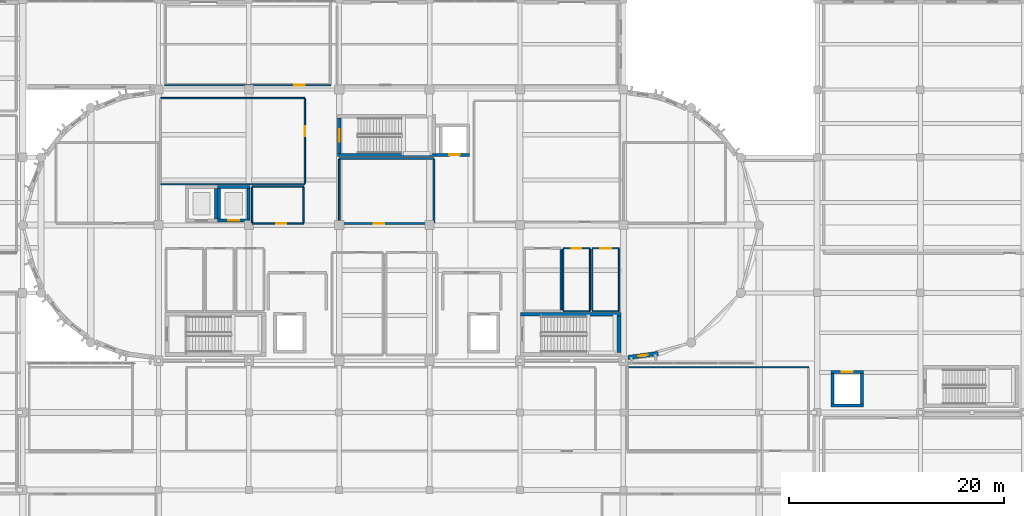
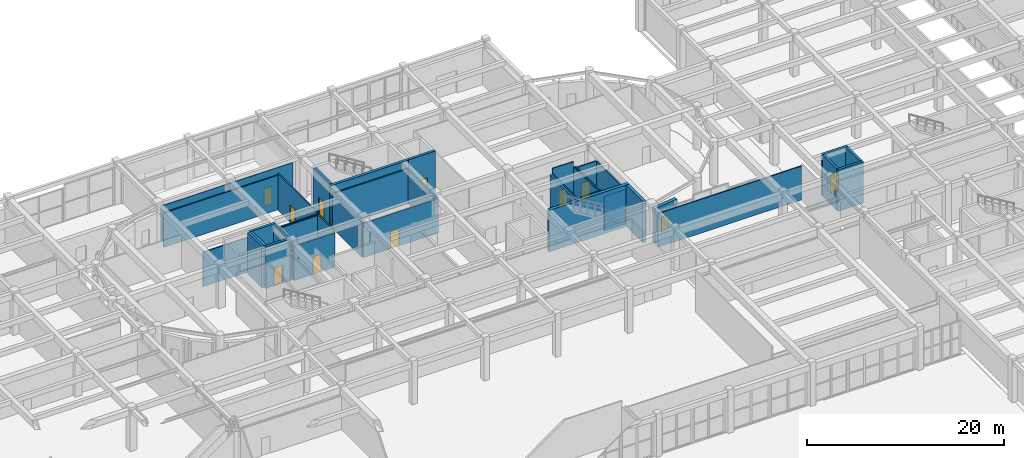
# One storey, part 74 of 98: 37 walls, 10 doors, 1 window, 11 openings.
"""IFC4 building model written with IfcOpenShell, lengths in metres."""

from ifc_helpers import new_model, si_unit, direction, frame, frame_2d, origin, place, context, subcontext, project, spatial, rectangle, extrude, material, layer, layer_set, type_object, element, fill, save


model = new_model("IFC4")

# Units and contexts
model_context = context("Model", 3, precision=1e-05, world=origin(), true_north=direction((0.0, 1.0)))
body_context = subcontext(model_context, "Body", "Model", "MODEL_VIEW")
ifc_project = project(units=[si_unit("LENGTHUNIT", "METRE"), si_unit("AREAUNIT", "SQUARE_METRE"), si_unit("VOLUMEUNIT", "CUBIC_METRE"), si_unit("PLANEANGLEUNIT", "RADIAN"), si_unit("MASSUNIT", "GRAM", prefix="KILO")], contexts=[model_context])

# Site, building, storey
site_placement = place(None, origin())
site = spatial("IfcSite", under=ifc_project, at=site_placement, CompositionType="ELEMENT")
building_placement = place(site_placement, origin())
building = spatial("IfcBuilding", under=site, at=building_placement, Name="Tarnavel Promenade Courthouse", CompositionType="ELEMENT")
storey_placement = place(building_placement, origin())
storey = spatial("IfcBuildingStorey", under=building, at=storey_placement, Name="L01", CompositionType="ELEMENT", Elevation=0.0)

# Wall
ifc_material_1 = material(Name="Acoustic Insulated Gypsum Stud Partition", Category="gypsum")
ifc_layer_1 = layer(ifc_material_1, 0.1650390625)
ifc_layer_set_1 = layer_set([ifc_layer_1], Name="Acoustic Insulated Gypsum Stud Partition")
wall_type_1 = type_object("IfcWallType", Name="Acoustic Insulated Gypsum Stud Partition WL-CHM-165 (165 mm)", PredefinedType="PARTITIONING", material=ifc_layer_set_1)
wall_1_placement = place(storey_placement, frame((75.60009765625, 98.0, 0.0), z_axis=(0.0, 0.0, 1.0), x_axis=(1.0, 0.0, 0.0)))
element("IfcWall", 1, at=wall_1_placement, inside=storey, type_object=wall_type_1, Name="L01 L01 Judicial Panel Deliberation Salon Partition 0224", PredefinedType="PARTITIONING", context=body_context, shape_type="SweptSolid", body=[
    extrude(rectangle(XDim=8.7998046875, YDim=0.1650390625, at=frame_2d((4.39990234375, 0.0))), origin(), (0.0, 0.0, 1.0), 4.27001953125),
])

# Wall, opening, door
wall_2_placement = place(storey_placement, frame((84.39990234375, 91.949951171875, 0.0), z_axis=(0.0, 0.0, 1.0), x_axis=(-1.0, 0.0, 0.0)))
wall_2 = element("IfcWall", 2, at=wall_2_placement, inside=storey, type_object=wall_type_1, Name="L01 L01 Judicial Panel Deliberation Salon Partition 0225", PredefinedType="PARTITIONING", context=body_context, shape_type="SweptSolid", body=[
    extrude(rectangle(XDim=8.7998046875, YDim=0.1650390625, at=frame_2d((4.39990234375, 0.0))), origin(), (0.0, 0.0, 1.0), 4.27001953125),
])
opening_1_placement = place(wall_2_placement, frame((4.610107421875, 0.0, 0.0)))
opening_1 = element("IfcOpeningElement", 3, at=opening_1_placement, cuts=wall_2, Name="Opening ID-03", PredefinedType="OPENING", context=body_context, shape_type="SweptSolid", body=[
    extrude(rectangle(XDim=1.0, YDim=2.14990234375, at=frame_2d((0.5, 1.074951171875))), frame((0.0, 0.092529296875, 0.0), z_axis=(0.0, -1.0, 0.0), x_axis=(1.0, 0.0, 0.0)), (0.0, 0.0, 1.0), 0.18505859375),
])
ifc_material_2 = material(Name="Acoustic Solid-Core Oak Jury Room Door")
door_type_1 = type_object("IfcDoorType", Name="Acoustic Solid-Core Oak Jury Room Door (DR-JRY-1000x2150)", OperationType="NOTDEFINED", PredefinedType="DOOR", material=ifc_material_2)
door_1_placement = place(opening_1_placement, origin())
door_1 = element("IfcDoor", 4, at=door_1_placement, inside=storey, type_object=door_type_1, Name="L01 L01 Judicial Panel Deliberation Salon Door 0065", OperationType="SINGLE_SWING_LEFT", OverallHeight=2.14990234375, OverallWidth=1.0, PredefinedType="DOOR", context=body_context, shape_type="SweptSolid", body=[
    extrude(rectangle(XDim=1.0, YDim=2.14990234375, at=frame_2d((0.5, 1.074951171875))), frame((0.0, 0.02490234375, 0.0), z_axis=(0.0, -1.0, 0.0), x_axis=(1.0, 0.0, 0.0)), (0.0, 0.0, 1.0), 0.050048828125),
])
fill(opening_1, door_1)

# Walls
for number, where, z_axis, x_axis, name in (
    (5, (75.60009765625, 92.04248046875, 0.0), (0.0, 0.0, 1.0), (0.0, 1.0, 0.0), "L01 L01 Judicial Panel Deliberation Salon Partition 0226"),
    (6, (84.39990234375, 97.907470703125, 0.0), (0.0, 0.0, 1.0), (0.0, -1.0, 0.0), "L01 L01 Judicial Panel Deliberation Salon Partition 0227"),
):
    element("IfcWall", number, at=place(storey_placement, frame(where, z_axis=z_axis, x_axis=x_axis)), inside=storey, type_object=wall_type_1, Name=name, PredefinedType="PARTITIONING", context=body_context, shape_type="SweptSolid", body=[
        extrude(rectangle(XDim=5.864990234375, YDim=0.1650390625, at=frame_2d((2.9326171875, 0.0))), origin(), (0.0, 0.0, 1.0), 4.27001953125),
    ])
ifc_material_3 = material(Name="Concrete C40/50", Category="concrete")
ifc_layer_2 = layer(ifc_material_3, 0.280029296875)
ifc_layer_set_2 = layer_set([ifc_layer_2], Name="Concrete C40/50")
wall_type_2 = type_object("IfcWallType", Name="Concrete C40/50 WL-SHR-280 (280 mm)", PredefinedType="SHEAR", material=ifc_layer_set_2)
wall_3_placement = place(storey_placement, frame((64.159912109375, 95.219970703125, 0.0), z_axis=(0.0, 0.0, 1.0), x_axis=(0.0, -1.0, 0.0)))
element("IfcWall", 7, at=wall_3_placement, inside=storey, type_object=wall_type_2, Name="L01 L-PUB1 Lift Shaft East Wall", PredefinedType="SHEAR", context=body_context, shape_type="SweptSolid", body=[
    extrude(rectangle(XDim=2.840087890625, YDim=0.280029296875, at=frame_2d((1.419921875, 0.0))), origin(), (0.0, 0.0, 1.0), 5.139892578125),
])
wall_4_placement = place(storey_placement, frame((64.300048828125, 95.360107421875, 0.0), z_axis=(0.0, 0.0, 1.0), x_axis=(1.0, 0.0, 0.0)))
element("IfcWall", 8, at=wall_4_placement, inside=storey, type_object=wall_type_2, Name="L01 L-PUB2 Lift Shaft North Wall", PredefinedType="SHEAR", context=body_context, shape_type="SweptSolid", body=[
    extrude(rectangle(XDim=3.0, YDim=0.280029296875, at=frame_2d((1.5, 0.0))), origin(), (0.0, 0.0, 1.0), 5.139892578125),
])

# Wall, opening, door
wall_5_placement = place(storey_placement, frame((67.300048828125, 92.239990234375, 0.0), z_axis=(0.0, 0.0, 1.0), x_axis=(-1.0, 0.0, 0.0)))
wall_5 = element("IfcWall", 9, at=wall_5_placement, inside=storey, type_object=wall_type_2, Name="L01 L-PUB2 Lift Shaft South Wall", PredefinedType="SHEAR", context=body_context, shape_type="SweptSolid", body=[
    extrude(rectangle(XDim=3.0, YDim=0.280029296875, at=frame_2d((1.5, 0.0))), origin(), (0.0, 0.0, 1.0), 5.139892578125),
])
opening_2_placement = place(wall_5_placement, frame((0.97509765625, 0.0, 0.0)))
opening_2 = element("IfcOpeningElement", 10, at=opening_2_placement, cuts=wall_5, Name="Opening LD-02", PredefinedType="OPENING", context=body_context, shape_type="SweptSolid", body=[
    extrude(rectangle(XDim=1.050048828125, YDim=2.199951171875, at=frame_2d((0.52490234375, 1.10009765625))), frame((0.0, 0.14990234375, 0.0), z_axis=(0.0, -1.0, 0.0), x_axis=(1.0, 0.0, 0.0)), (0.0, 0.0, 1.0), 0.300048828125),
])
ifc_material_4 = material(Name="Brushed Bronze Passenger Lift Landing Sliding Door")
door_type_2 = type_object("IfcDoorType", Name="Brushed Bronze Passenger Lift Landing Sliding Door (LD-PUB-1050x2200)", OperationType="NOTDEFINED", PredefinedType="DOOR", material=ifc_material_4)
door_2_placement = place(opening_2_placement, origin())
door_2 = element("IfcDoor", 11, at=door_2_placement, inside=storey, type_object=door_type_2, Name="L01 L-PUB2 Lift Sliding Landing Door", OperationType="DOUBLE_DOOR_SLIDING", OverallHeight=2.199951171875, OverallWidth=1.050048828125, PredefinedType="DOOR", context=body_context, shape_type="SweptSolid", body=[
    extrude(rectangle(XDim=1.050048828125, YDim=2.199951171875, at=frame_2d((0.52490234375, 1.10009765625))), frame((0.0, 0.02490234375, 0.0), z_axis=(0.0, -1.0, 0.0), x_axis=(1.0, 0.0, 0.0)), (0.0, 0.0, 1.0), 0.050048828125),
])
fill(opening_2, door_2)

# Walls
for number, where, z_axis, x_axis, name in (
    (12, (64.43994140625, 92.3798828125, 0.0), (0.0, 0.0, 1.0), (0.0, 1.0, 0.0), "L01 L-PUB2 Lift Shaft West Wall"),
    (13, (67.159912109375, 95.219970703125, 0.0), (0.0, 0.0, 1.0), (0.0, -1.0, 0.0), "L01 L-PUB2 Lift Shaft East Wall"),
):
    element("IfcWall", number, at=place(storey_placement, frame(where, z_axis=z_axis, x_axis=x_axis)), inside=storey, type_object=wall_type_2, Name=name, PredefinedType="SHEAR", context=body_context, shape_type="SweptSolid", body=[
        extrude(rectangle(XDim=2.840087890625, YDim=0.280029296875, at=frame_2d((1.419921875, 0.0))), origin(), (0.0, 0.0, 1.0), 5.139892578125),
    ])

# Wall, opening, door
wall_6_placement = place(storey_placement, frame((87.699951171875, 98.340087890625, 0.0), z_axis=(0.0, 0.0, 1.0), x_axis=(-1.0, 0.0, 0.0)))
wall_6 = element("IfcWall", 14, at=wall_6_placement, inside=storey, type_object=wall_type_2, Name="L01 L-JUD1 Lift Shaft South Wall", PredefinedType="SHEAR", context=body_context, shape_type="SweptSolid", body=[
    extrude(rectangle(XDim=3.159912109375, YDim=0.280029296875, at=frame_2d((1.580078125, 0.0))), origin(), (0.0, 0.0, 1.0), 5.139892578125),
])
opening_3_placement = place(wall_6_placement, frame((0.925048828125, 0.0, 0.0)))
opening_3 = element("IfcOpeningElement", 15, at=opening_3_placement, cuts=wall_6, Name="Opening LD-03", PredefinedType="OPENING", context=body_context, shape_type="SweptSolid", body=[
    extrude(rectangle(XDim=0.949951171875, YDim=2.14990234375, at=frame_2d((0.47509765625, 1.074951171875))), frame((0.0, 0.14990234375, 0.0), z_axis=(0.0, -1.0, 0.0), x_axis=(1.0, 0.0, 0.0)), (0.0, 0.0, 1.0), 0.300048828125),
])
ifc_material_5 = material(Name="Stainless Steel Judicial Lift Landing Sliding Door", Category="steel")
door_type_3 = type_object("IfcDoorType", Name="Stainless Steel Judicial Lift Landing Sliding Door (LD-JUD-0950x2150)", OperationType="NOTDEFINED", PredefinedType="DOOR", material=ifc_material_5)
door_3_placement = place(opening_3_placement, origin())
door_3 = element("IfcDoor", 16, at=door_3_placement, inside=storey, type_object=door_type_3, Name="L01 L-JUD1 Lift Sliding Landing Door", OperationType="DOUBLE_DOOR_SLIDING", OverallHeight=2.14990234375, OverallWidth=0.949951171875, PredefinedType="DOOR", context=body_context, shape_type="SweptSolid", body=[
    extrude(rectangle(XDim=0.949951171875, YDim=2.14990234375, at=frame_2d((0.47509765625, 1.074951171875))), frame((0.0, 0.02490234375, 0.0), z_axis=(0.0, -1.0, 0.0), x_axis=(1.0, 0.0, 0.0)), (0.0, 0.0, 1.0), 0.050048828125),
])
fill(opening_3, door_3)

wall_7_placement = place(storey_placement, frame((121.300048828125, 78.159912109375, 0.0), z_axis=(0.0, 0.0, 1.0), x_axis=(1.0, 0.0, 0.0)))
wall_7 = element("IfcWall", 17, at=wall_7_placement, inside=storey, type_object=wall_type_2, Name="L01 L-CUS1 Lift Shaft North Wall", PredefinedType="SHEAR", context=body_context, shape_type="SweptSolid", body=[
    extrude(rectangle(XDim=3.0, YDim=0.280029296875, at=frame_2d((1.5, 0.0))), origin(), (0.0, 0.0, 1.0), 5.139892578125),
])
opening_4_placement = place(wall_7_placement, frame((0.97509765625, 0.0, 0.0)))
opening_4 = element("IfcOpeningElement", 18, at=opening_4_placement, cuts=wall_7, Name="Opening LD-02", PredefinedType="OPENING", context=body_context, shape_type="SweptSolid", body=[
    extrude(rectangle(XDim=1.050048828125, YDim=2.199951171875, at=frame_2d((0.52490234375, 1.10009765625))), frame((0.0, 0.14990234375, 0.0), z_axis=(0.0, -1.0, 0.0), x_axis=(1.0, 0.0, 0.0)), (0.0, 0.0, 1.0), 0.300048828125),
])
door_4_placement = place(opening_4_placement, origin())
door_4 = element("IfcDoor", 19, at=door_4_placement, inside=storey, type_object=door_type_2, Name="L01 L-CUS1 Lift Sliding Landing Door", OperationType="DOUBLE_DOOR_SLIDING", OverallHeight=2.199951171875, OverallWidth=1.050048828125, PredefinedType="DOOR", context=body_context, shape_type="SweptSolid", body=[
    extrude(rectangle(XDim=1.050048828125, YDim=2.199951171875, at=frame_2d((0.52490234375, 1.10009765625))), frame((0.0, 0.02490234375, 0.0), z_axis=(0.0, -1.0, 0.0), x_axis=(1.0, 0.0, 0.0)), (0.0, 0.0, 1.0), 0.050048828125),
])
fill(opening_4, door_4)

# Walls
wall_8_placement = place(storey_placement, frame((124.300048828125, 75.0400390625, 0.0), z_axis=(0.0, 0.0, 1.0), x_axis=(-1.0, 0.0, 0.0)))
element("IfcWall", 20, at=wall_8_placement, inside=storey, type_object=wall_type_2, Name="L01 L-CUS1 Lift Shaft South Wall", PredefinedType="SHEAR", context=body_context, shape_type="SweptSolid", body=[
    extrude(rectangle(XDim=3.0, YDim=0.280029296875, at=frame_2d((1.5, 0.0))), origin(), (0.0, 0.0, 1.0), 5.139892578125),
])
for number, where, z_axis, x_axis, name in (
    (21, (121.43994140625, 75.179931640625, 0.0), (0.0, 0.0, 1.0), (0.0, 1.0, 0.0), "L01 L-CUS1 Lift Shaft West Wall"),
    (22, (124.159912109375, 78.02001953125, 0.0), (0.0, 0.0, 1.0), (0.0, -1.0, 0.0), "L01 L-CUS1 Lift Shaft East Wall"),
):
    element("IfcWall", number, at=place(storey_placement, frame(where, z_axis=z_axis, x_axis=x_axis)), inside=storey, type_object=wall_type_2, Name=name, PredefinedType="SHEAR", context=body_context, shape_type="SweptSolid", body=[
        extrude(rectangle(XDim=2.840087890625, YDim=0.280029296875, at=frame_2d((1.419921875, 0.0))), origin(), (0.0, 0.0, 1.0), 5.139892578125),
    ])
ifc_layer_3 = layer(ifc_material_3, 0.320068359375)
ifc_layer_set_3 = layer_set([ifc_layer_3], Name="Concrete C40/50")
wall_type_3 = type_object("IfcWallType", Name="Concrete C40/50 WL-SHR-320 (320 mm)", PredefinedType="SHEAR", material=ifc_layer_set_3)
wall_9_placement = place(storey_placement, frame((84.5400390625, 98.320068359375, 0.0), z_axis=(0.0, 0.0, 1.0), x_axis=(-1.0, 0.0, 0.0)))
element("IfcWall", 23, at=wall_9_placement, inside=storey, type_object=wall_type_3, Name="L01 ST-03 Shear Core South Wall", PredefinedType="SHEAR", context=body_context, shape_type="SweptSolid", body=[
    extrude(rectangle(XDim=9.080078125, YDim=0.320068359375, at=frame_2d((4.5400390625, 0.0))), origin(), (0.0, 0.0, 1.0), 5.139892578125),
])

# Wall, opening, door
wall_10_placement = place(storey_placement, frame((75.6201171875, 98.47998046875, 0.0), z_axis=(0.0, 0.0, 1.0), x_axis=(0.0, 1.0, 0.0)))
wall_10 = element("IfcWall", 24, at=wall_10_placement, inside=storey, type_object=wall_type_3, Name="L01 ST-03 Shear Core West Landing Wall", PredefinedType="SHEAR", context=body_context, shape_type="SweptSolid", body=[
    extrude(rectangle(XDim=3.280029296875, YDim=0.320068359375, at=frame_2d((1.64013671875, 0.0))), origin(), (0.0, 0.0, 1.0), 5.139892578125),
])
opening_5_placement = place(wall_10_placement, frame((1.06494140625, 0.0, 0.0)))
opening_5 = element("IfcOpeningElement", 25, at=opening_5_placement, cuts=wall_10, Name="Opening FD-01", PredefinedType="OPENING", context=body_context, shape_type="SweptSolid", body=[
    extrude(rectangle(XDim=1.14990234375, YDim=2.199951171875, at=frame_2d((0.574951171875, 1.10009765625))), frame((0.0, 0.169921875, 0.0), z_axis=(0.0, -1.0, 0.0), x_axis=(1.0, 0.0, 0.0)), (0.0, 0.0, 1.0), 0.340087890625),
])
ifc_material_6 = material(Name="Steel Fire-Rated Stair Core Door", Category="steel")
door_type_4 = type_object("IfcDoorType", Name="Steel Fire-Rated Stair Core Door (DR-ST-1150x2200)", OperationType="NOTDEFINED", PredefinedType="DOOR", material=ifc_material_6)
door_5_placement = place(opening_5_placement, origin())
door_5 = element("IfcDoor", 26, at=door_5_placement, inside=storey, type_object=door_type_4, Name="L01 ST-03 Protected Exit Stair Door", OperationType="SINGLE_SWING_LEFT", OverallHeight=2.199951171875, OverallWidth=1.14990234375, PredefinedType="DOOR", context=body_context, shape_type="SweptSolid", body=[
    extrude(rectangle(XDim=1.14990234375, YDim=2.199951171875, at=frame_2d((0.574951171875, 1.10009765625))), frame((0.0, 0.02490234375, 0.0), z_axis=(0.0, -1.0, 0.0), x_axis=(1.0, 0.0, 0.0)), (0.0, 0.0, 1.0), 0.050048828125),
])
fill(opening_5, door_5)

# Walls
ifc_layer_4 = layer(ifc_material_3, 0.360107421875)
ifc_layer_set_4 = layer_set([ifc_layer_4], Name="Concrete C40/50")
wall_type_4 = type_object("IfcWallType", Name="Concrete C40/50 WL-SHR-360 (360 mm)", PredefinedType="SHEAR", material=ifc_layer_set_4)
wall_11_placement = place(storey_placement, frame((92.419921875, 83.52001953125, 0.0), z_axis=(0.0, 0.0, 1.0), x_axis=(1.0, 0.0, 0.0)))
element("IfcWall", 27, at=wall_11_placement, inside=storey, type_object=wall_type_4, Name="L01 ST-02 Shear Core North Wall", PredefinedType="SHEAR", context=body_context, shape_type="SweptSolid", body=[
    extrude(rectangle(XDim=9.360107421875, YDim=0.360107421875, at=frame_2d((4.68017578125, 0.0))), origin(), (0.0, 0.0, 1.0), 5.139892578125),
])
wall_12_placement = place(storey_placement, frame((101.60009765625, 83.340087890625, 0.0), z_axis=(0.0, 0.0, 1.0), x_axis=(0.0, -1.0, 0.0)))
element("IfcWall", 28, at=wall_12_placement, inside=storey, type_object=wall_type_4, Name="L01 ST-02 Shear Core East Wall", PredefinedType="SHEAR", context=body_context, shape_type="SweptSolid", body=[
    extrude(rectangle(XDim=3.360107421875, YDim=0.360107421875, at=frame_2d((1.68017578125, 0.0))), origin(), (0.0, 0.0, 1.0), 5.139892578125),
])
ifc_material_7 = material(Name="Concrete Masonry Fire Compartment Wall", Category="masonry")
ifc_layer_5 = layer(ifc_material_7, 0.205078125)
ifc_layer_set_5 = layer_set([ifc_layer_5], Name="Concrete Masonry Fire Compartment Wall")
wall_type_5 = type_object("IfcWallType", Name="Concrete Masonry Fire Compartment Wall WL-CMP-205 (205 mm)", PredefinedType="STANDARD", material=ifc_layer_set_5)
wall_13_placement = place(storey_placement, frame((96.199951171875, 89.53759765625, 0.0), z_axis=(0.0, 0.0, 1.0), x_axis=(0.0, -1.0, 0.0)))
element("IfcWall", 29, at=wall_13_placement, inside=storey, type_object=wall_type_5, Name="L01 L01 Court Transcript Records Room Partition 0112", PredefinedType="STANDARD", context=body_context, shape_type="SweptSolid", body=[
    extrude(rectangle(XDim=5.625, YDim=0.205078125, at=frame_2d((2.8125, 0.0))), origin(), (0.0, 0.0, 1.0), 4.52001953125),
])
ifc_material_8 = material(Name="Metal-Stud Acoustic Gypsum Partition", Category="gypsum")
ifc_layer_6 = layer(ifc_material_8, 0.135009765625)
ifc_layer_set_6 = layer_set([ifc_layer_6], Name="Metal-Stud Acoustic Gypsum Partition")
wall_type_6 = type_object("IfcWallType", Name="Metal-Stud Acoustic Gypsum Partition WL-OFF-135 (135 mm)", PredefinedType="PARTITIONING", material=ifc_layer_set_6)
wall_14_placement = place(storey_placement, frame((102.39990234375, 78.60009765625, 0.0), z_axis=(0.0, 0.0, 1.0), x_axis=(1.0, 0.0, 0.0)))
element("IfcWall", 30, at=wall_14_placement, inside=storey, type_object=wall_type_6, Name="L01 Advocates' Collegium Seminar Room Partition 0184", PredefinedType="PARTITIONING", context=body_context, shape_type="SweptSolid", body=[
    extrude(rectangle(XDim=16.800048828125, YDim=0.135009765625, at=frame_2d((8.39990234375, 0.0))), origin(), (0.0, 0.0, 1.0), 4.169921875),
])

# Wall, opening, door
wall_15_placement = place(storey_placement, frame((74.800048828125, 104.800048828125, 0.0), z_axis=(0.0, 0.0, 1.0), x_axis=(-1.0, 0.0, 0.0)))
wall_15 = element("IfcWall", 31, at=wall_15_placement, inside=storey, type_object=wall_type_6, Name="L01 North Civic Avenue Entrance Vestibule Partition 0192", PredefinedType="PARTITIONING", context=body_context, shape_type="SweptSolid", body=[
    extrude(rectangle(XDim=15.400146484375, YDim=0.135009765625, at=frame_2d((7.7001953125, 0.0))), origin(), (0.0, 0.0, 1.0), 4.27001953125),
])
opening_6_placement = place(wall_15_placement, frame((2.41259765625, 0.0, 0.0)))
opening_6 = element("IfcOpeningElement", 32, at=opening_6_placement, cuts=wall_15, Name="Opening ID-06", PredefinedType="OPENING", context=body_context, shape_type="SweptSolid", body=[
    extrude(rectangle(XDim=0.949951171875, YDim=2.14990234375, at=frame_2d((0.47509765625, 1.074951171875))), frame((0.0, 0.077392578125, 0.0), z_axis=(0.0, -1.0, 0.0), x_axis=(1.0, 0.0, 0.0)), (0.0, 0.0, 1.0), 0.155029296875),
])
ifc_material_9 = material(Name="Acoustic Timber Veneer Office Door", Category="wood")
door_type_5 = type_object("IfcDoorType", Name="Acoustic Timber Veneer Office Door (DR-OFF-0950x2150)", OperationType="NOTDEFINED", PredefinedType="DOOR", material=ifc_material_9)
door_6_placement = place(opening_6_placement, origin())
door_6 = element("IfcDoor", 33, at=door_6_placement, inside=storey, type_object=door_type_5, Name="L01 North Civic Avenue Entrance Vestibule Door 0055", OperationType="SINGLE_SWING_RIGHT", OverallHeight=2.14990234375, OverallWidth=0.949951171875, PredefinedType="DOOR", context=body_context, shape_type="SweptSolid", body=[
    extrude(rectangle(XDim=0.949951171875, YDim=2.14990234375, at=frame_2d((0.47509765625, 1.074951171875))), frame((0.0, 0.02490234375, 0.0), z_axis=(0.0, -1.0, 0.0), x_axis=(1.0, 0.0, 0.0)), (0.0, 0.0, 1.0), 0.050048828125),
])
fill(opening_6, door_6)

# Walls
for number, where, z_axis, x_axis, name in (
    (34, (59.0, 103.60009765625, 0.0), (0.0, 0.0, 1.0), (1.0, 0.0, 0.0), "L01 Court Security Control Room Partition 0216"),
    (35, (72.39990234375, 95.60009765625, 0.0), (0.0, 0.0, 1.0), (-1.0, 0.0, 0.0), "L01 Court Security Control Room Partition 0217"),
):
    element("IfcWall", number, at=place(storey_placement, frame(where, z_axis=z_axis, x_axis=x_axis)), inside=storey, type_object=wall_type_6, Name=name, PredefinedType="PARTITIONING", context=body_context, shape_type="SweptSolid", body=[
        extrude(rectangle(XDim=13.39990234375, YDim=0.135009765625, at=frame_2d((6.699951171875, 0.0))), origin(), (0.0, 0.0, 1.0), 4.27001953125),
    ])

# Wall, opening, door
wall_16_placement = place(storey_placement, frame((72.39990234375, 103.5224609375, 0.0), z_axis=(0.0, 0.0, 1.0), x_axis=(0.0, -1.0, 0.0)))
wall_16 = element("IfcWall", 36, at=wall_16_placement, inside=storey, type_object=wall_type_6, Name="L01 Court Security Control Room Partition 0219", PredefinedType="PARTITIONING", context=body_context, shape_type="SweptSolid", body=[
    extrude(rectangle(XDim=7.844970703125, YDim=0.135009765625, at=frame_2d((3.92236328125, 0.0))), origin(), (0.0, 0.0, 1.0), 4.52001953125),
])
opening_7_placement = place(wall_16_placement, frame((2.518310546875, 0.0, 0.0)))
opening_7 = element("IfcOpeningElement", 37, at=opening_7_placement, cuts=wall_16, Name="Opening ID-06", PredefinedType="OPENING", context=body_context, shape_type="SweptSolid", body=[
    extrude(rectangle(XDim=0.949951171875, YDim=2.14990234375, at=frame_2d((0.47509765625, 1.074951171875))), frame((0.0, 0.077392578125, 0.0), z_axis=(0.0, -1.0, 0.0), x_axis=(1.0, 0.0, 0.0)), (0.0, 0.0, 1.0), 0.155029296875),
])
door_7_placement = place(opening_7_placement, origin())
door_7 = element("IfcDoor", 38, at=door_7_placement, inside=storey, type_object=door_type_5, Name="L01 Court Security Control Room Door 0063", OperationType="SINGLE_SWING_LEFT", OverallHeight=2.14990234375, OverallWidth=0.949951171875, PredefinedType="DOOR", context=body_context, shape_type="SweptSolid", body=[
    extrude(rectangle(XDim=0.949951171875, YDim=2.14990234375, at=frame_2d((0.47509765625, 1.074951171875))), frame((0.0, 0.02490234375, 0.0), z_axis=(0.0, -1.0, 0.0), x_axis=(1.0, 0.0, 0.0)), (0.0, 0.0, 1.0), 0.050048828125),
])
fill(opening_7, door_7)

# Wall
wall_17_placement = place(storey_placement, frame((67.5, 95.39990234375, 0.0), z_axis=(0.0, 0.0, 1.0), x_axis=(1.0, 0.0, 0.0)))
element("IfcWall", 39, at=wall_17_placement, inside=storey, type_object=wall_type_6, Name="L01 L01 Judicial Case Clerks' Room Partition 0220", PredefinedType="PARTITIONING", context=body_context, shape_type="SweptSolid", body=[
    extrude(rectangle(XDim=4.800048828125, YDim=0.135009765625, at=frame_2d((2.39990234375, 0.0))), origin(), (0.0, 0.0, 1.0), 4.27001953125),
])

# Wall, opening, door
wall_18_placement = place(storey_placement, frame((72.300048828125, 91.949951171875, 0.0), z_axis=(0.0, 0.0, 1.0), x_axis=(-1.0, 0.0, 0.0)))
wall_18 = element("IfcWall", 40, at=wall_18_placement, inside=storey, type_object=wall_type_6, Name="L01 L01 Judicial Case Clerks' Room Partition 0221", PredefinedType="PARTITIONING", context=body_context, shape_type="SweptSolid", body=[
    extrude(rectangle(XDim=4.800048828125, YDim=0.135009765625, at=frame_2d((2.39990234375, 0.0))), origin(), (0.0, 0.0, 1.0), 4.27001953125),
])
opening_8_placement = place(wall_18_placement, frame((1.610107421875, 0.0, 0.0)))
opening_8 = element("IfcOpeningElement", 41, at=opening_8_placement, cuts=wall_18, Name="Opening ID-06", PredefinedType="OPENING", context=body_context, shape_type="SweptSolid", body=[
    extrude(rectangle(XDim=0.949951171875, YDim=2.14990234375, at=frame_2d((0.47509765625, 1.074951171875))), frame((0.0, 0.077392578125, 0.0), z_axis=(0.0, -1.0, 0.0), x_axis=(1.0, 0.0, 0.0)), (0.0, 0.0, 1.0), 0.155029296875),
])
door_8_placement = place(opening_8_placement, origin())
door_8 = element("IfcDoor", 42, at=door_8_placement, inside=storey, type_object=door_type_5, Name="L01 L01 Judicial Case Clerks' Room Door 0064", OperationType="SINGLE_SWING_RIGHT", OverallHeight=2.14990234375, OverallWidth=0.949951171875, PredefinedType="DOOR", context=body_context, shape_type="SweptSolid", body=[
    extrude(rectangle(XDim=0.949951171875, YDim=2.14990234375, at=frame_2d((0.47509765625, 1.074951171875))), frame((0.0, 0.02490234375, 0.0), z_axis=(0.0, -1.0, 0.0), x_axis=(1.0, 0.0, 0.0)), (0.0, 0.0, 1.0), 0.050048828125),
])
fill(opening_8, door_8)

# Walls
wall_19_placement = place(storey_placement, frame((67.5, 92.027587890625, 0.0), z_axis=(0.0, 0.0, 1.0), x_axis=(0.0, 1.0, 0.0)))
element("IfcWall", 43, at=wall_19_placement, inside=storey, type_object=wall_type_6, Name="L01 L01 Judicial Case Clerks' Room Partition 0222", PredefinedType="PARTITIONING", context=body_context, shape_type="SweptSolid", body=[
    extrude(rectangle(XDim=3.294921875, YDim=0.135009765625, at=frame_2d((1.6474609375, 0.0))), origin(), (0.0, 0.0, 1.0), 4.27001953125),
])
wall_20_placement = place(storey_placement, frame((72.300048828125, 95.322509765625, 0.0), z_axis=(0.0, 0.0, 1.0), x_axis=(0.0, -1.0, 0.0)))
element("IfcWall", 44, at=wall_20_placement, inside=storey, type_object=wall_type_6, Name="L01 L01 Judicial Case Clerks' Room Partition 0223", PredefinedType="PARTITIONING", context=body_context, shape_type="SweptSolid", body=[
    extrude(rectangle(XDim=3.294921875, YDim=0.135009765625, at=frame_2d((1.6474609375, 0.0))), origin(), (0.0, 0.0, 1.0), 4.469970703125),
])

# Wall, opening, door
ifc_material_10 = material(Name="Moisture-Resistant Tile-Backed Stud Partition", Category="gypsum")
ifc_layer_7 = layer(ifc_material_10, 0.125)
ifc_layer_set_7 = layer_set([ifc_layer_7], Name="Moisture-Resistant Tile-Backed Stud Partition")
wall_type_7 = type_object("IfcWallType", Name="Moisture-Resistant Tile-Backed Stud Partition WL-WET-125 (125 mm)", PredefinedType="PARTITIONING", material=ifc_layer_set_7)
wall_21_placement = place(storey_placement, frame((96.39990234375, 89.64990234375, 0.0), z_axis=(0.0, 0.0, 1.0), x_axis=(1.0, 0.0, 0.0)))
wall_21 = element("IfcWall", 45, at=wall_21_placement, inside=storey, type_object=wall_type_7, Name="L01 Staff WC Partition 0097", PredefinedType="PARTITIONING", context=body_context, shape_type="SweptSolid", body=[
    extrude(rectangle(XDim=2.5, YDim=0.125, at=frame_2d((1.25, 0.0))), origin(), (0.0, 0.0, 1.0), 5.125),
])
opening_9_placement = place(wall_21_placement, frame((0.800048828125, 0.0, 0.0)))
opening_9 = element("IfcOpeningElement", 46, at=opening_9_placement, cuts=wall_21, Name="Opening ID-08", PredefinedType="OPENING", context=body_context, shape_type="SweptSolid", body=[
    extrude(rectangle(XDim=0.89990234375, YDim=2.10009765625, at=frame_2d((0.449951171875, 1.050048828125))), frame((0.0, 0.072509765625, 0.0), z_axis=(0.0, -1.0, 0.0), x_axis=(1.0, 0.0, 0.0)), (0.0, 0.0, 1.0), 0.14501953125),
])
ifc_material_11 = material(Name="Moisture-Resistant Laminate Restroom Door")
door_type_6 = type_object("IfcDoorType", Name="Moisture-Resistant Laminate Restroom Door (DR-WC-0900x2100)", OperationType="NOTDEFINED", PredefinedType="DOOR", material=ifc_material_11)
door_9_placement = place(opening_9_placement, origin())
door_9 = element("IfcDoor", 47, at=door_9_placement, inside=storey, type_object=door_type_6, Name="L01 Staff WC Door 0028", OperationType="SINGLE_SWING_RIGHT", OverallHeight=2.10009765625, OverallWidth=0.89990234375, PredefinedType="DOOR", context=body_context, shape_type="SweptSolid", body=[
    extrude(rectangle(XDim=0.89990234375, YDim=2.10009765625, at=frame_2d((0.449951171875, 1.050048828125))), frame((0.0, 0.02490234375, 0.0), z_axis=(0.0, -1.0, 0.0), x_axis=(1.0, 0.0, 0.0)), (0.0, 0.0, 1.0), 0.050048828125),
])
fill(opening_9, door_9)

# Walls
wall_22_placement = place(storey_placement, frame((98.89990234375, 83.800048828125, 0.0), z_axis=(0.0, 0.0, 1.0), x_axis=(-1.0, 0.0, 0.0)))
element("IfcWall", 48, at=wall_22_placement, inside=storey, type_object=wall_type_7, Name="L01 Staff WC Partition 0098", PredefinedType="PARTITIONING", context=body_context, shape_type="SweptSolid", body=[
    extrude(rectangle(XDim=2.5, YDim=0.125, at=frame_2d((1.25, 0.0))), origin(), (0.0, 0.0, 1.0), 5.125),
])
for number, where, z_axis, x_axis, name in (
    (49, (96.39990234375, 83.87255859375, 0.0), (0.0, 0.0, 1.0), (0.0, 1.0, 0.0), "L01 Staff WC Partition 0099"),
    (50, (98.89990234375, 89.577392578125, 0.0), (0.0, 0.0, 1.0), (0.0, -1.0, 0.0), "L01 Staff WC Partition 0100"),
):
    element("IfcWall", number, at=place(storey_placement, frame(where, z_axis=z_axis, x_axis=x_axis)), inside=storey, type_object=wall_type_7, Name=name, PredefinedType="PARTITIONING", context=body_context, shape_type="SweptSolid", body=[
        extrude(rectangle(XDim=5.704833984375, YDim=0.125, at=frame_2d((2.8525390625, 0.0))), origin(), (0.0, 0.0, 1.0), 4.52001953125),
    ])

# Wall, opening, door
wall_23_placement = place(storey_placement, frame((99.10009765625, 89.64990234375, 0.0), z_axis=(0.0, 0.0, 1.0), x_axis=(1.0, 0.0, 0.0)))
wall_23 = element("IfcWall", 51, at=wall_23_placement, inside=storey, type_object=wall_type_7, Name="L01 Accessible Staff WC Partition 0101", PredefinedType="PARTITIONING", context=body_context, shape_type="SweptSolid", body=[
    extrude(rectangle(XDim=2.5, YDim=0.125, at=frame_2d((1.25, 0.0))), origin(), (0.0, 0.0, 1.0), 4.27001953125),
])
opening_10_placement = place(wall_23_placement, frame((0.75, 0.0, 0.0)))
opening_10 = element("IfcOpeningElement", 52, at=opening_10_placement, cuts=wall_23, Name="Opening ID-09", PredefinedType="OPENING", context=body_context, shape_type="SweptSolid", body=[
    extrude(rectangle(XDim=1.0, YDim=2.10009765625, at=frame_2d((0.5, 1.050048828125))), frame((0.0, 0.072509765625, 0.0), z_axis=(0.0, -1.0, 0.0), x_axis=(1.0, 0.0, 0.0)), (0.0, 0.0, 1.0), 0.14501953125),
])
ifc_material_12 = material(Name="Wide Accessible Restroom Outward Door")
door_type_7 = type_object("IfcDoorType", Name="Wide Accessible Restroom Outward Door (DR-AWC-1000x2100)", OperationType="NOTDEFINED", PredefinedType="DOOR", material=ifc_material_12)
door_10_placement = place(opening_10_placement, origin())
door_10 = element("IfcDoor", 53, at=door_10_placement, inside=storey, type_object=door_type_7, Name="L01 Accessible Staff WC Door 0029", OperationType="SINGLE_SWING_LEFT", OverallHeight=2.10009765625, OverallWidth=1.0, PredefinedType="DOOR", context=body_context, shape_type="SweptSolid", body=[
    extrude(rectangle(XDim=1.0, YDim=2.10009765625, at=frame_2d((0.5, 1.050048828125))), frame((0.0, 0.02490234375, 0.0), z_axis=(0.0, -1.0, 0.0), x_axis=(1.0, 0.0, 0.0)), (0.0, 0.0, 1.0), 0.050048828125),
])
fill(opening_10, door_10)

# Walls
wall_24_placement = place(storey_placement, frame((101.60009765625, 83.800048828125, 0.0), z_axis=(0.0, 0.0, 1.0), x_axis=(-1.0, 0.0, 0.0)))
element("IfcWall", 54, at=wall_24_placement, inside=storey, type_object=wall_type_7, Name="L01 Accessible Staff WC Partition 0102", PredefinedType="PARTITIONING", context=body_context, shape_type="SweptSolid", body=[
    extrude(rectangle(XDim=2.5, YDim=0.125, at=frame_2d((1.25, 0.0))), origin(), (0.0, 0.0, 1.0), 4.27001953125),
])
wall_25_placement = place(storey_placement, frame((99.10009765625, 83.87255859375, 0.0), z_axis=(0.0, 0.0, 1.0), x_axis=(0.0, 1.0, 0.0)))
element("IfcWall", 55, at=wall_25_placement, inside=storey, type_object=wall_type_7, Name="L01 Accessible Staff WC Partition 0103", PredefinedType="PARTITIONING", context=body_context, shape_type="SweptSolid", body=[
    extrude(rectangle(XDim=5.704833984375, YDim=0.125, at=frame_2d((2.8525390625, 0.0))), origin(), (0.0, 0.0, 1.0), 4.52001953125),
])
wall_26_placement = place(storey_placement, frame((101.60009765625, 89.577392578125, 0.0), z_axis=(0.0, 0.0, 1.0), x_axis=(0.0, -1.0, 0.0)))
element("IfcWall", 56, at=wall_26_placement, inside=storey, type_object=wall_type_7, Name="L01 Accessible Staff WC Partition 0104", PredefinedType="PARTITIONING", context=body_context, shape_type="SweptSolid", body=[
    extrude(rectangle(XDim=5.704833984375, YDim=0.125, at=frame_2d((2.8525390625, 0.0))), origin(), (0.0, 0.0, 1.0), 4.27001953125),
])

# Wall, opening, window
ifc_material_13 = material(Name="Patinated Copper-Bronze Insulated Drum Wall Assembly", Category="masonry")
ifc_layer_8 = layer(ifc_material_13, 0.39501953125)
ifc_layer_set_8 = layer_set([ifc_layer_8], Name="Patinated Copper-Bronze Insulated Drum Wall Assembly")
wall_type_8 = type_object("IfcWallType", Name="Patinated Copper-Bronze Insulated Drum Wall Assembly WL-DRUM-395 (395 mm)", PredefinedType="ELEMENTEDWALL", material=ifc_layer_set_8)
wall_27_placement = place(storey_placement, frame((102.428466796875, 79.508544921875, 0.0), z_axis=(0.0, 0.0, 1.0), x_axis=(0.991443994311, 0.130532778046, 0.0)))
wall_27 = element("IfcWall", 57, at=wall_27_placement, inside=storey, type_object=wall_type_8, Name="L01 E Copper Drum Chord Wall 01 0035", PredefinedType="ELEMENTEDWALL", context=body_context, shape_type="SweptSolid", body=[
    extrude(rectangle(XDim=2.82421875, YDim=0.39501953125, at=frame_2d((1.412109375, 0.0))), origin(), (0.0, 0.0, 1.0), 4.27001953125),
])
opening_11_placement = place(wall_27_placement, frame((0.962158203125, 0.0, 0.85009765625)))
opening_11 = element("IfcOpeningElement", 58, at=opening_11_placement, cuts=wall_27, Name="Opening W-08", PredefinedType="OPENING", context=body_context, shape_type="SweptSolid", body=[
    extrude(rectangle(XDim=0.89990234375, YDim=1.85009765625, at=frame_2d((0.449951171875, 0.925048828125))), frame((0.0, 0.20751953125, 0.0), z_axis=(0.0, -1.0, 0.0), x_axis=(1.0, 0.0, 0.0)), (0.0, 0.0, 1.0), 0.4150390625),
])
ifc_material_14 = material(Name="Triple Low-E Glazed Bronze-Clad Window Assembly")
window_type = type_object("IfcWindowType", Name="Triple-Glazed Bronze-Clad Timber-Aluminium WIN-DRM-0900x1850", PartitioningType="SINGLE_PANEL", PredefinedType="WINDOW", material=ifc_material_14)
window_placement = place(opening_11_placement, origin())
window = element("IfcWindow", 59, at=window_placement, inside=storey, type_object=window_type, Name="L01 Exterior Window 0013", OverallHeight=1.85009765625, OverallWidth=0.89990234375, PartitioningType="SINGLE_PANEL", PredefinedType="WINDOW", context=body_context, shape_type="SweptSolid", body=[
    extrude(rectangle(XDim=0.89990234375, YDim=1.85009765625, at=frame_2d((0.449951171875, 0.925048828125))), frame((0.0, 0.030029296875, 0.0), z_axis=(0.0, -1.0, 0.0), x_axis=(1.0, 0.0, 0.0)), (0.0, 0.0, 1.0), 0.06005859375),
])
fill(opening_11, window)

save(model, "model.ifc")
